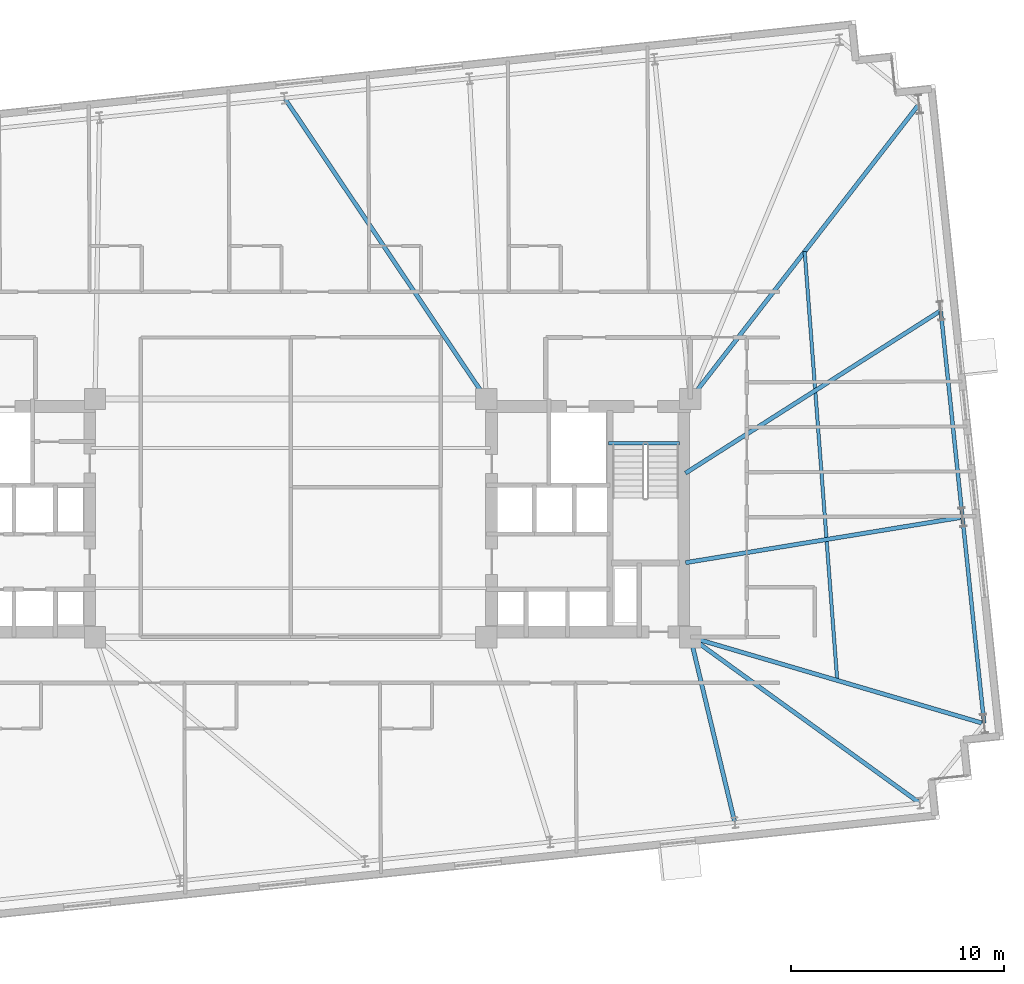
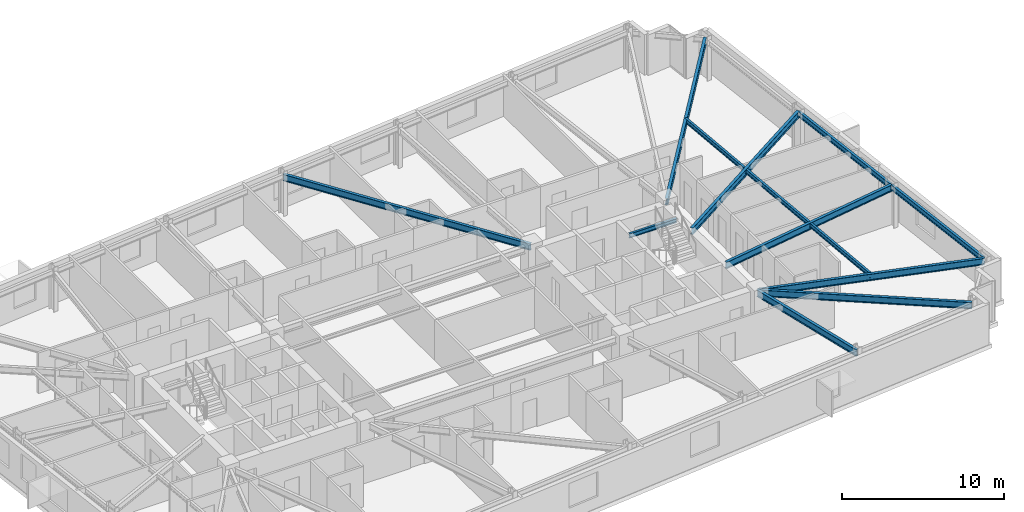
# One storey, part 7 of 19: 11 beams.
"""IFC4 building model written with IfcOpenShell, lengths in metres."""

from ifc_helpers import new_model, si_unit, direction, frame, origin, origin_2d, place, context, subcontext, project, spatial, i_section, extrude, material, material_profile, profile_set, type_object, element, save


model = new_model("IFC4")

# Units and contexts
model_context = context("Model", 3, precision=1e-05, world=origin(), true_north=direction((0.0, 1.0)))
body_context = subcontext(model_context, "Body", "Model", "MODEL_VIEW")
ifc_project = project(units=[si_unit("LENGTHUNIT", "METRE"), si_unit("AREAUNIT", "SQUARE_METRE"), si_unit("VOLUMEUNIT", "CUBIC_METRE"), si_unit("PLANEANGLEUNIT", "RADIAN"), si_unit("MASSUNIT", "GRAM", prefix="KILO")], contexts=[model_context])

# Site, building, storey
site_placement = place(None, origin())
site = spatial("IfcSite", under=ifc_project, at=site_placement, CompositionType="ELEMENT")
building_placement = place(site_placement, origin())
building = spatial("IfcBuilding", under=site, at=building_placement, Name="Qobustan Lattice House", CompositionType="ELEMENT")
storey_placement = place(building_placement, frame((0.0, 0.0, 85.699951171875)))
storey = spatial("IfcBuildingStorey", under=building, at=storey_placement, Name="L23", CompositionType="ELEMENT", Elevation=85.699951171875)

# Beams
ifc_material_1 = material(Name="Steel S355", Category="steel")
ifc_material_profile_1 = material_profile(ifc_material_1, i_section(OverallWidth=0.199951171875, OverallDepth=0.5, WebThickness=0.01025390625, FlangeThickness=0.01611328125, FilletRadius=0.02099609375, at=origin_2d()), Name="IPE500")
ifc_profile_set_1 = profile_set([ifc_material_profile_1], Name="Steel S355")
beam_type_1 = type_object("IfcBeamType", Name="BM-FLG-IPE500", PredefinedType="USERDEFINED", material=ifc_profile_set_1)
beam_1_placement = place(storey_placement, frame((20.885009765625, -14.297607421875, 2.795166015625), z_axis=(-0.233107910855, 0.97245087377, 0.0), x_axis=(-0.97245087377, -0.233107910855, 0.0)))
element("IfcBeam", 1, at=beam_1_placement, inside=storey, type_object=beam_type_1, Name="L23 primary floor girder RAD-S6", ObjectType="GIRDER", PredefinedType="USERDEFINED", context=body_context, shape_type="SweptSolid", body=[
    extrude(i_section(OverallWidth=0.199951171875, OverallDepth=0.5, WebThickness=0.01025390625, FlangeThickness=0.01611328125, FilletRadius=0.02099609375, at=origin_2d()), origin(), (0.0, 0.0, 1.0), 8.9189453125),
])
beam_2_placement = place(storey_placement, frame((29.572509765625, -13.392578125, 2.795166015625), z_axis=(-0.81023705091, 0.586102313024, 0.0), x_axis=(-0.586102313024, -0.81023705091, 0.0)))
element("IfcBeam", 2, at=beam_2_placement, inside=storey, type_object=beam_type_1, Name="L23 primary floor girder RAD-S7E", ObjectType="GIRDER", PredefinedType="USERDEFINED", context=body_context, shape_type="SweptSolid", body=[
    extrude(i_section(OverallWidth=0.199951171875, OverallDepth=0.5, WebThickness=0.01025390625, FlangeThickness=0.01611328125, FilletRadius=0.02099609375, at=origin_2d()), origin(), (0.0, 0.0, 1.0), 13.2705078125),
])
beam_3_placement = place(storey_placement, frame((-0.272705078125, 19.730224609375, 2.795166015625), z_axis=(0.556837669082, -0.830621339896, 0.0), x_axis=(0.830621339896, 0.556837669082, 0.0)))
element("IfcBeam", 3, at=beam_3_placement, inside=storey, type_object=beam_type_1, Name="L23 primary floor girder RAD-N4", ObjectType="GIRDER", PredefinedType="USERDEFINED", context=body_context, shape_type="SweptSolid", body=[
    extrude(i_section(OverallWidth=0.199951171875, OverallDepth=0.5, WebThickness=0.01025390625, FlangeThickness=0.01611328125, FilletRadius=0.02099609375, at=origin_2d()), origin(), (0.0, 0.0, 1.0), 16.986572265625),
])
beam_4_placement = place(storey_placement, frame((29.541015625, 19.44921875, 2.795166015625), z_axis=(-0.612860318028, -0.790191262029, 0.0), x_axis=(0.790191262029, -0.612860318028, 0.0)))
element("IfcBeam", 4, at=beam_4_placement, inside=storey, type_object=beam_type_1, Name="L23 primary floor girder RAD-E4", ObjectType="GIRDER", PredefinedType="USERDEFINED", context=body_context, shape_type="SweptSolid", body=[
    extrude(i_section(OverallWidth=0.199951171875, OverallDepth=0.5, WebThickness=0.01025390625, FlangeThickness=0.01611328125, FilletRadius=0.02099609375, at=origin_2d()), origin(), (0.0, 0.0, 1.0), 17.501220703125),
])
beam_5_placement = place(storey_placement, frame((30.555908203125, 9.742431640625, 2.795166015625), z_axis=(-0.843584351199, -0.536996687525, 0.0), x_axis=(0.536996687525, -0.843584351199, 0.0)))
element("IfcBeam", 5, at=beam_5_placement, inside=storey, type_object=beam_type_1, Name="L23 primary floor girder RAD-E3", ObjectType="GIRDER", PredefinedType="USERDEFINED", context=body_context, shape_type="SweptSolid", body=[
    extrude(i_section(OverallWidth=0.199951171875, OverallDepth=0.5, WebThickness=0.01025390625, FlangeThickness=0.01611328125, FilletRadius=0.02099609375, at=origin_2d()), origin(), (0.0, 0.0, 1.0), 14.20703125),
])
beam_6_placement = place(storey_placement, frame((31.5732421875, 0.03857421875, 2.795166015625), z_axis=(-0.986783828506, -0.162042203761, 0.0), x_axis=(0.162042203761, -0.986783828506, 0.0)))
element("IfcBeam", 6, at=beam_6_placement, inside=storey, type_object=beam_type_1, Name="L23 primary floor girder RAD-E2", ObjectType="GIRDER", PredefinedType="USERDEFINED", context=body_context, shape_type="SweptSolid", body=[
    extrude(i_section(OverallWidth=0.199951171875, OverallDepth=0.5, WebThickness=0.01025390625, FlangeThickness=0.01611328125, FilletRadius=0.02099609375, at=origin_2d()), origin(), (0.0, 0.0, 1.0), 13.172607421875),
])
beam_7_placement = place(storey_placement, frame((32.594970703125, -9.663330078125, 2.795166015625), z_axis=(-0.959254941513, 0.282541956499, 0.0), x_axis=(-0.282541956499, -0.959254941513, 0.0)))
element("IfcBeam", 7, at=beam_7_placement, inside=storey, type_object=beam_type_1, Name="L23 primary floor girder RAD-E1", ObjectType="GIRDER", PredefinedType="USERDEFINED", context=body_context, shape_type="SweptSolid", body=[
    extrude(i_section(OverallWidth=0.199951171875, OverallDepth=0.5, WebThickness=0.01025390625, FlangeThickness=0.01611328125, FilletRadius=0.02099609375, at=origin_2d()), origin(), (0.0, 0.0, 1.0), 14.35595703125),
])
ifc_material_2 = material(Name="Steel S355", Category="steel")
ifc_material_profile_2 = material_profile(ifc_material_2, i_section(OverallWidth=0.159912109375, OverallDepth=0.330078125, WebThickness=0.007568359375, FlangeThickness=0.011474609375, FilletRadius=0.01806640625, at=origin_2d()), Name="IPE330")
ifc_profile_set_2 = profile_set([ifc_material_profile_2], Name="Steel S355")
beam_type_2 = type_object("IfcBeamType", Name="BM-SEC-IPE330", PredefinedType="BEAM", material=ifc_profile_set_2)
beam_8_placement = place(storey_placement, frame((24.177978515625, 12.534423828125, 2.880126953125), z_axis=(0.075712576466, -0.997129683524, 0.0), x_axis=(0.997129683524, 0.075712576466, 0.0)))
element("IfcBeam", 8, at=beam_8_placement, inside=storey, type_object=beam_type_2, Name="L23 east wing secondary beam", PredefinedType="BEAM", context=body_context, shape_type="SweptSolid", body=[
    extrude(i_section(OverallWidth=0.159912109375, OverallDepth=0.330078125, WebThickness=0.007568359375, FlangeThickness=0.011474609375, FilletRadius=0.01806640625, at=origin_2d()), origin(), (0.0, 0.0, 1.0), 20.227783203125),
])
ifc_material_3 = material(Name="Steel S355", Category="steel")
ifc_material_profile_3 = material_profile(ifc_material_3, i_section(OverallWidth=0.159912109375, OverallDepth=0.330078125, WebThickness=0.007568359375, FlangeThickness=0.011474609375, FilletRadius=0.01806640625, at=origin_2d()), Name="IPE330")
ifc_profile_set_3 = profile_set([ifc_material_profile_3], Name="Steel S355")
beam_type_3 = type_object("IfcBeamType", Name="BM-SPD-IPE330", PredefinedType="SPANDREL", material=ifc_profile_set_3)
beam_9_placement = place(storey_placement, frame((14.949951171875, 3.52001953125, 2.880126953125), z_axis=(1.0, 0.0, 0.0), x_axis=(0.0, 1.0, 0.0)))
element("IfcBeam", 9, at=beam_9_placement, inside=storey, type_object=beam_type_3, Name="L23 east stair landing trimmer beam", PredefinedType="SPANDREL", context=body_context, shape_type="SweptSolid", body=[
    extrude(i_section(OverallWidth=0.159912109375, OverallDepth=0.330078125, WebThickness=0.007568359375, FlangeThickness=0.011474609375, FilletRadius=0.01806640625, at=origin_2d()), origin(), (0.0, 0.0, 1.0), 3.35009765625),
])
ifc_material_4 = material(Name="Steel S355", Category="steel")
ifc_material_profile_4 = material_profile(ifc_material_4, i_section(OverallWidth=0.179931640625, OverallDepth=0.39990234375, WebThickness=0.008544921875, FlangeThickness=0.013427734375, FilletRadius=0.02099609375, at=origin_2d()), Name="IPE400")
ifc_profile_set_4 = profile_set([ifc_material_profile_4], Name="Steel S355")
beam_type_4 = type_object("IfcBeamType", Name="BM-SPD-IPE400", PredefinedType="SPANDREL", material=ifc_profile_set_4)
for number, where, z_axis, x_axis, name in (
    (10, (32.6162109375, -9.6455078125, 2.844970703125), (-0.104525214252, 0.994522236848, 0.0), (-0.994522236848, -0.104525214252, 0.0), "L23 perimeter spandrel E1-E2"),
    (11, (31.595458984375, 0.067626953125, 2.844970703125), (-0.10455006589, 0.994519624604, 0.0), (-0.994519624604, -0.10455006589, 0.0), "L23 perimeter spandrel E2-E3"),
):
    element("IfcBeam", number, at=place(storey_placement, frame(where, z_axis=z_axis, x_axis=x_axis)), inside=storey, type_object=beam_type_4, Name=name, PredefinedType="SPANDREL", context=body_context, shape_type="SweptSolid", body=[
        extrude(i_section(OverallWidth=0.179931640625, OverallDepth=0.39990234375, WebThickness=0.008544921875, FlangeThickness=0.013427734375, FilletRadius=0.02099609375, at=origin_2d()), origin(), (0.0, 0.0, 1.0), 9.716552734375),
    ])

save(model, "model.ifc")
